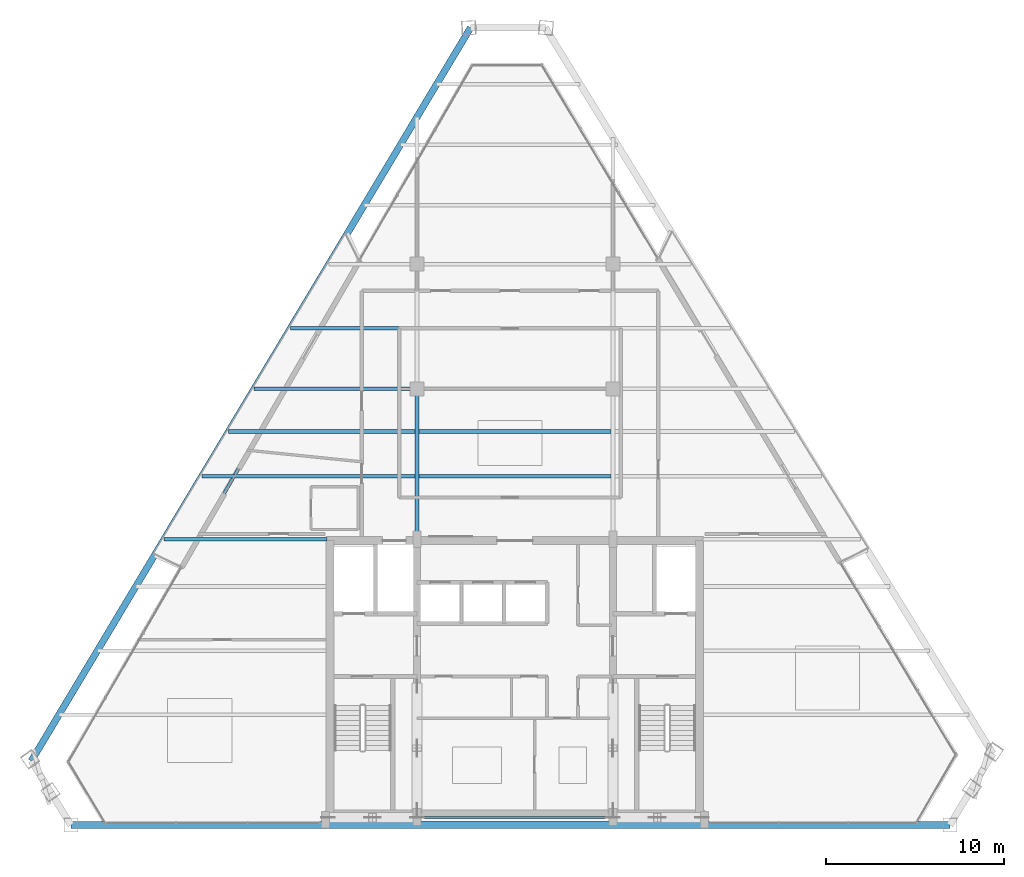
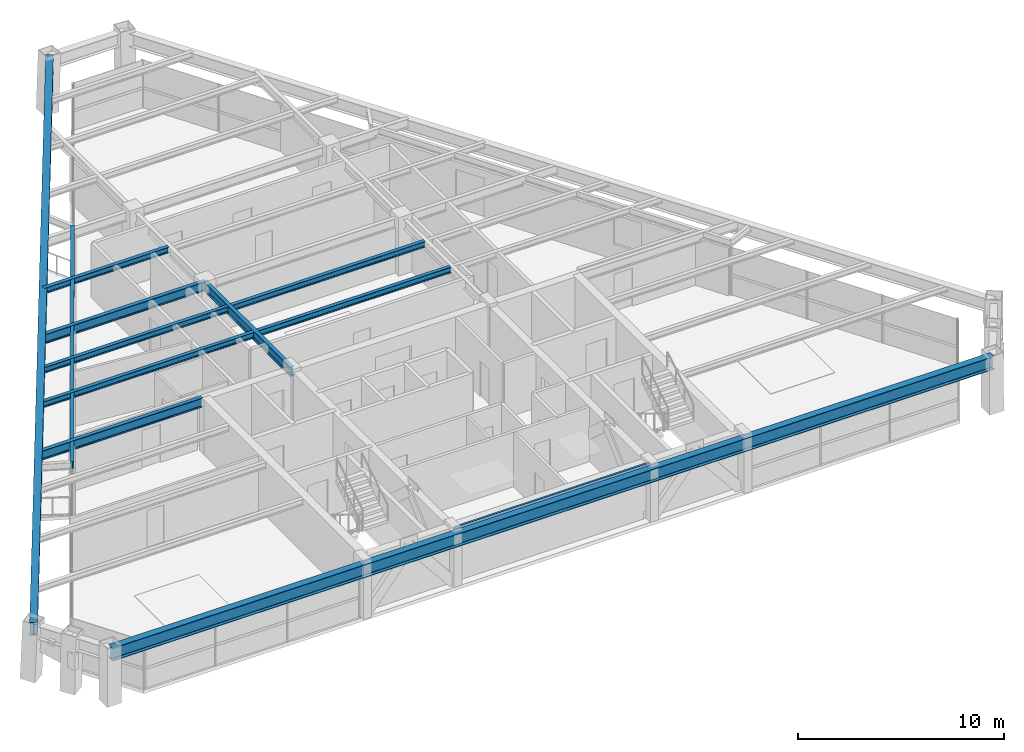
# One storey, part 3 of 13: 12 beams.
"""IFC4 building model written with IfcOpenShell, lengths in metres."""

from ifc_helpers import new_model, si_unit, direction, frame, origin, origin_2d, place, context, subcontext, project, spatial, i_section, extrude, source, transform, mapped, material, material_profile, profile_set, type_object, type_shapes, element, save


model = new_model("IFC4")

# Units and contexts
model_context = context("Model", 3, precision=1e-05, world=origin(), true_north=direction((0.0, 1.0)))
body_context = subcontext(model_context, "Body", "Model", "MODEL_VIEW")
ifc_project = project(units=[si_unit("LENGTHUNIT", "METRE"), si_unit("AREAUNIT", "SQUARE_METRE"), si_unit("VOLUMEUNIT", "CUBIC_METRE"), si_unit("PLANEANGLEUNIT", "RADIAN"), si_unit("MASSUNIT", "GRAM", prefix="KILO")], contexts=[model_context])

# Site, building, storey
site_placement = place(None, origin())
site = spatial("IfcSite", under=ifc_project, at=site_placement, CompositionType="ELEMENT")
building_placement = place(site_placement, origin())
building = spatial("IfcBuilding", under=site, at=building_placement, Name="Varnakhor Terracotta Tower", CompositionType="ELEMENT")
storey_placement = place(building_placement, frame((0.0, 0.0, 266.10009765625)))
storey = spatial("IfcBuildingStorey", under=building, at=storey_placement, Name="L69", CompositionType="ELEMENT", Elevation=266.10009765625)

# Beams
ifc_material = material(Name="Steel S355", Category="steel")
ifc_material_profile_1 = material_profile(ifc_material, i_section(OverallWidth=0.1201171875, OverallDepth=0.239990234375, WebThickness=0.006103515625, FlangeThickness=0.009765625, FilletRadius=0.01806640625, at=origin_2d()), Name="IPE240")
ifc_profile_set_1 = profile_set([ifc_material_profile_1], Name="Steel S355")
beam_type_1 = type_object("IfcBeamType", Name="LNT-IPE240", PredefinedType="LINTEL", material=ifc_profile_set_1)
shared_shape_1 = source(origin(), body_context, "Body", "SweptSolid", [
    extrude(i_section(OverallWidth=0.1201171875, OverallDepth=0.239990234375, WebThickness=0.006103515625, FlangeThickness=0.009765625, FilletRadius=0.01806640625, at=origin_2d()), origin(), (0.0, 0.0, 1.0), 11.0),
])
type_shapes(beam_type_1, [shared_shape_1])
beam_1_placement = place(storey_placement, frame((-5.5, 0.419921875, 3.119873046875), z_axis=(1.0, 0.0, 0.0), x_axis=(0.0, 1.0, 0.0)))
element("IfcBeam", 1, at=beam_1_placement, inside=storey, type_object=beam_type_1, Name="L69 Core South Coupling Lintel", PredefinedType="LINTEL", context=body_context, shape_type="MappedRepresentation", body=[
    mapped(shared_shape_1, transform((0.0, 0.0, 0.0), scale=1.0)),
])
ifc_material_profile_2 = material_profile(ifc_material, i_section(OverallWidth=0.214111328125, OverallDepth=0.549072265625, WebThickness=0.014892578125, FlangeThickness=0.02392578125, FilletRadius=0.01806640625, at=origin_2d()), Name="W21X93")
ifc_profile_set_2 = profile_set([ifc_material_profile_2], Name="Steel S355")
beam_type_2 = type_object("IfcBeamType", Name="BM-W21X93", PredefinedType="BEAM", material=ifc_profile_set_2)
shared_shape_2 = source(origin(), body_context, "Body", "SweptSolid", [
    extrude(i_section(OverallWidth=0.214111328125, OverallDepth=0.549072265625, WebThickness=0.014892578125, FlangeThickness=0.02392578125, FilletRadius=0.01806640625, at=origin_2d()), origin(), (0.0, 0.0, 1.0), 8.449951171875),
])
type_shapes(beam_type_2, [shared_shape_2])
beam_2_placement = place(storey_placement, frame((-5.5, 16.050048828125, 2.96533203125), z_axis=(0.0, 1.0, 0.0), x_axis=(-1.0, 0.0, 0.0)))
element("IfcBeam", 2, at=beam_2_placement, inside=storey, type_object=beam_type_2, Name="L69 Primary Girder NS1-W", PredefinedType="BEAM", context=body_context, shape_type="MappedRepresentation", body=[
    mapped(shared_shape_2, transform((0.0, 0.0, 0.0), scale=1.0)),
])
ifc_material_profile_3 = material_profile(ifc_material, i_section(OverallWidth=0.202880859375, OverallDepth=0.346923828125, WebThickness=0.0078125, FlangeThickness=0.013427734375, FilletRadius=0.01806640625, at=origin_2d()), Name="W14X43")
ifc_profile_set_3 = profile_set([ifc_material_profile_3], Name="Steel S355")
beam_type_3 = type_object("IfcBeamType", Name="JST-W14X43", PredefinedType="JOIST", material=ifc_profile_set_3)
shared_shape_3 = source(origin(), body_context, "Body", "SweptSolid", [
    extrude(i_section(OverallWidth=0.202880859375, OverallDepth=0.346923828125, WebThickness=0.0078125, FlangeThickness=0.013427734375, FilletRadius=0.01806640625, at=origin_2d()), origin(), (0.0, 0.0, 1.0), 10.7939453125),
])
for number, where, z_axis, x_axis, name in (
    (3, (-5.39697265625, 19.60009765625, 3.06640625), (1.0, 0.0, 0.0), (0.0, 1.0, 0.0), "L69 Composite Floor Joist 4-2"),
    (4, (-5.39697265625, 22.10009765625, 3.06640625), (1.0, 0.0, 0.0), (0.0, 1.0, 0.0), "L69 Composite Floor Joist 5-2"),
):
    element("IfcBeam", number, at=place(storey_placement, frame(where, z_axis=z_axis, x_axis=x_axis)), inside=storey, type_object=beam_type_3, Name=name, PredefinedType="JOIST", context=body_context, shape_type="MappedRepresentation", body=[
        mapped(shared_shape_3, transform((0.0, 0.0, 0.0), scale=1.0)),
    ])
ifc_material_profile_4 = material_profile(ifc_material, i_section(OverallWidth=0.381103515625, OverallDepth=0.77294921875, WebThickness=0.01708984375, FlangeThickness=0.027099609375, FilletRadius=0.01806640625, at=origin_2d()), Name="W30X173")
ifc_profile_set_4 = profile_set([ifc_material_profile_4], Name="Steel S355")
beam_type_4 = type_object("IfcBeamType", Name="BM-W30X173", PredefinedType="BEAM", material=ifc_profile_set_4)
shared_shape_4 = source(origin(), body_context, "Body", "SweptSolid", [
    extrude(i_section(OverallWidth=0.381103515625, OverallDepth=0.77294921875, WebThickness=0.01708984375, FlangeThickness=0.027099609375, FilletRadius=0.01806640625, at=origin_2d()), origin(), (0.0, 0.0, 1.0), 49.36083984375),
])
beam_3_placement = place(storey_placement, frame((-24.936279296875, 0.0, 2.853515625), z_axis=(1.0, 0.0, 0.0), x_axis=(0.0, 1.0, 0.0)))
element("IfcBeam", 5, at=beam_3_placement, inside=storey, type_object=beam_type_4, Name="L69 Perimeter Spandrel 1", PredefinedType="BEAM", context=body_context, shape_type="MappedRepresentation", body=[
    mapped(shared_shape_4, transform((0.0, 0.0, 0.0), scale=1.0)),
])
shared_shape_5 = source(origin(), body_context, "Body", "SweptSolid", [
    extrude(i_section(OverallWidth=0.381103515625, OverallDepth=0.77294921875, WebThickness=0.01708984375, FlangeThickness=0.027099609375, FilletRadius=0.01806640625, at=origin_2d()), origin(), (0.0, 0.0, 1.0), 47.995849609375),
])
beam_4_placement = place(storey_placement, frame((-2.494384765625, 44.776611328125, 2.853515625), z_axis=(-0.513869504258, -0.85786836554, 0.0), x_axis=(0.85786836554, -0.513869504258, 0.0)))
element("IfcBeam", 6, at=beam_4_placement, inside=storey, type_object=beam_type_4, Name="L69 Perimeter Spandrel 6", PredefinedType="BEAM", context=body_context, shape_type="MappedRepresentation", body=[
    mapped(shared_shape_5, transform((0.0, 0.0, 0.0), scale=1.0)),
])
ifc_material_profile_5 = material_profile(ifc_material, i_section(OverallWidth=0.179931640625, OverallDepth=0.39990234375, WebThickness=0.008544921875, FlangeThickness=0.013427734375, FilletRadius=0.01806640625, at=origin_2d()), Name="IPE400")
ifc_profile_set_5 = profile_set([ifc_material_profile_5], Name="Steel S355")
beam_type_5 = type_object("IfcBeamType", Name="JST-IPE400", PredefinedType="JOIST", material=ifc_profile_set_5)
shared_shape_6 = source(origin(), body_context, "Body", "SweptSolid", [
    extrude(i_section(OverallWidth=0.179931640625, OverallDepth=0.39990234375, WebThickness=0.008544921875, FlangeThickness=0.013427734375, FilletRadius=0.01806640625, at=origin_2d()), origin(), (0.0, 0.0, 1.0), 20.0029296875),
])
beam_5_placement = place(storey_placement, frame((-8.716796875, 31.765869140625, 3.039794921875), z_axis=(-0.501208020252, -0.865326828681, 0.0), x_axis=(0.865326828681, -0.501208020252, 0.0)))
element("IfcBeam", 7, at=beam_5_placement, inside=storey, type_object=beam_type_5, Name="L69 Loggia Edge Beam 2", PredefinedType="JOIST", context=body_context, shape_type="MappedRepresentation", body=[
    mapped(shared_shape_6, transform((0.0, 0.0, 0.0), scale=1.0)),
])
shared_shape_7 = source(origin(), body_context, "Body", "SweptSolid", [
    extrude(i_section(OverallWidth=0.214111328125, OverallDepth=0.549072265625, WebThickness=0.014892578125, FlangeThickness=0.02392578125, FilletRadius=0.01806640625, at=origin_2d()), origin(), (0.0, 0.0, 1.0), 9.15185546875),
])
beam_6_placement = place(storey_placement, frame((-19.701904296875, 16.050048828125, 2.96533203125), z_axis=(1.0, 0.0, 0.0), x_axis=(0.0, 1.0, 0.0)))
element("IfcBeam", 8, at=beam_6_placement, inside=storey, type_object=beam_type_2, Name="L69 Wing Girder W", PredefinedType="BEAM", context=body_context, shape_type="MappedRepresentation", body=[
    mapped(shared_shape_7, transform((0.0, 0.0, 0.0), scale=1.0)),
])
shared_shape_8 = source(origin(), body_context, "Body", "SweptSolid", [
    extrude(i_section(OverallWidth=0.214111328125, OverallDepth=0.549072265625, WebThickness=0.014892578125, FlangeThickness=0.02392578125, FilletRadius=0.01806640625, at=origin_2d()), origin(), (0.0, 0.0, 1.0), 9.140380859375),
])
beam_7_placement = place(storey_placement, frame((-14.640380859375, 24.5, 2.96533203125), z_axis=(1.0, 0.0, 0.0), x_axis=(0.0, 1.0, 0.0)))
element("IfcBeam", 9, at=beam_7_placement, inside=storey, type_object=beam_type_2, Name="L69 Primary Girder EW2-1", PredefinedType="BEAM", context=body_context, shape_type="MappedRepresentation", body=[
    mapped(shared_shape_8, transform((0.0, 0.0, 0.0), scale=1.0)),
])
shared_shape_9 = source(origin(), body_context, "Body", "SweptSolid", [
    extrude(i_section(OverallWidth=0.202880859375, OverallDepth=0.346923828125, WebThickness=0.0078125, FlangeThickness=0.013427734375, FilletRadius=0.01806640625, at=origin_2d()), origin(), (0.0, 0.0, 1.0), 11.972412109375),
])
beam_8_placement = place(storey_placement, frame((-17.575439453125, 19.60009765625, 3.06640625), z_axis=(1.0, 0.0, 0.0), x_axis=(0.0, 1.0, 0.0)))
element("IfcBeam", 10, at=beam_8_placement, inside=storey, type_object=beam_type_3, Name="L69 Composite Floor Joist 4-1", PredefinedType="JOIST", context=body_context, shape_type="MappedRepresentation", body=[
    mapped(shared_shape_9, transform((0.0, 0.0, 0.0), scale=1.0)),
])
shared_shape_10 = source(origin(), body_context, "Body", "SweptSolid", [
    extrude(i_section(OverallWidth=0.202880859375, OverallDepth=0.346923828125, WebThickness=0.0078125, FlangeThickness=0.013427734375, FilletRadius=0.01806640625, at=origin_2d()), origin(), (0.0, 0.0, 1.0), 10.474853515625),
])
beam_9_placement = place(storey_placement, frame((-16.077880859375, 22.10009765625, 3.06640625), z_axis=(1.0, 0.0, 0.0), x_axis=(0.0, 1.0, 0.0)))
element("IfcBeam", 11, at=beam_9_placement, inside=storey, type_object=beam_type_3, Name="L69 Composite Floor Joist 5-1", PredefinedType="JOIST", context=body_context, shape_type="MappedRepresentation", body=[
    mapped(shared_shape_10, transform((0.0, 0.0, 0.0), scale=1.0)),
])
shared_shape_11 = source(origin(), body_context, "Body", "SweptSolid", [
    extrude(i_section(OverallWidth=0.202880859375, OverallDepth=0.346923828125, WebThickness=0.0078125, FlangeThickness=0.013427734375, FilletRadius=0.01806640625, at=origin_2d()), origin(), (0.0, 0.0, 1.0), 7.000732421875),
])
beam_10_placement = place(storey_placement, frame((-12.603759765625, 27.89990234375, 3.06640625), z_axis=(1.0, 0.0, 0.0), x_axis=(0.0, 1.0, 0.0)))
element("IfcBeam", 12, at=beam_10_placement, inside=storey, type_object=beam_type_3, Name="L69 Composite Floor Joist 6-1", PredefinedType="JOIST", context=body_context, shape_type="MappedRepresentation", body=[
    mapped(shared_shape_11, transform((0.0, 0.0, 0.0), scale=1.0)),
])

save(model, "model.ifc")
